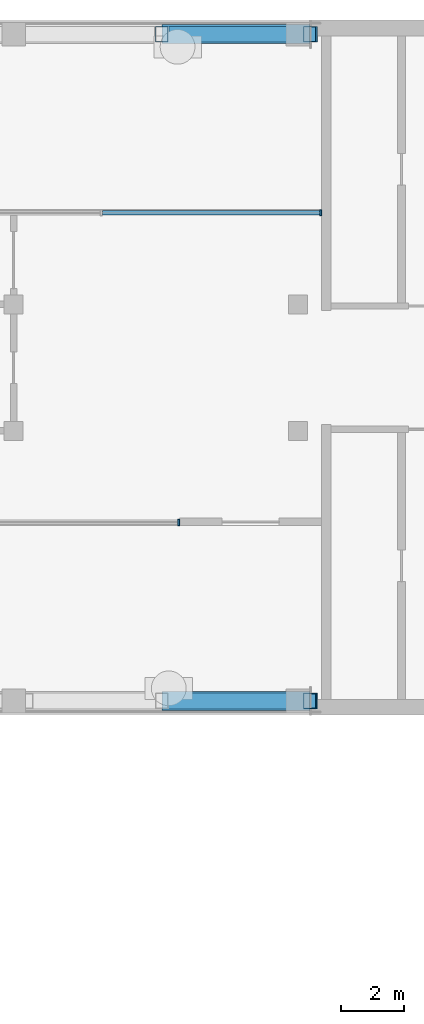
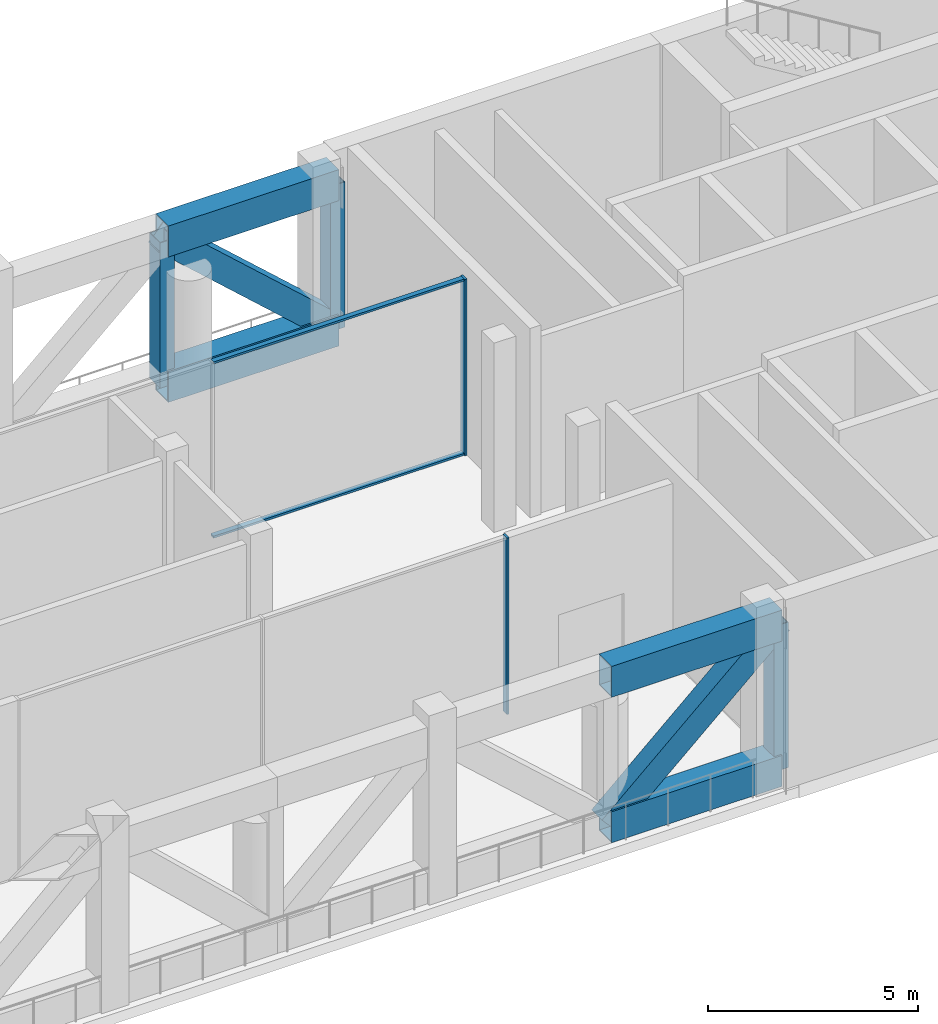
# One storey, part 5 of 14: 13 members, 2 elements without a shape of their own.
"""IFC4 building model written with IfcOpenShell, lengths in metres."""

from ifc_helpers import new_model, si_unit, direction, frame, origin, origin_2d, place, context, subcontext, project, spatial, rectangle, hollow_rectangle, extrude, material, material_profile, profile_set, type_object, element, aggregate, save


model = new_model("IFC4")

# Units and contexts
model_context = context("Model", 3, precision=1e-05, world=origin(), true_north=direction((0.0, 1.0)))
body_context = subcontext(model_context, "Body", "Model", "MODEL_VIEW")
ifc_project = project(units=[si_unit("LENGTHUNIT", "METRE"), si_unit("AREAUNIT", "SQUARE_METRE"), si_unit("VOLUMEUNIT", "CUBIC_METRE"), si_unit("PLANEANGLEUNIT", "RADIAN"), si_unit("MASSUNIT", "GRAM", prefix="KILO")], contexts=[model_context])

# Site, building, storey
site_placement = place(None, origin())
site = spatial("IfcSite", under=ifc_project, at=site_placement, CompositionType="ELEMENT")
building_placement = place(site_placement, origin())
building = spatial("IfcBuilding", under=site, at=building_placement, Name="Skarvind Civic Tower", CompositionType="ELEMENT")
storey_placement = place(building_placement, frame((0.0, 0.0, 236.0)))
storey = spatial("IfcBuildingStorey", under=building, at=storey_placement, Name="L56", CompositionType="ELEMENT", Elevation=236.0)

# Curtain wall, member
ifc_material_1 = material(Name="Aluminium alloy 6063 and laminated glass", Category="aluminium")
curtain_wall_type = type_object("IfcCurtainWallType", Name="CW3 SEPARATOR INNER GLAZING", PredefinedType="NOTDEFINED", material=ifc_material_1)
curtain_wall_1_placement = place(storey_placement, origin())
curtain_wall_1 = element("IfcCurtainWall", 1, at=curtain_wall_1_placement, inside=storey, type_object=curtain_wall_type, Name="SEPARATOR INNER GLAZING", PredefinedType="NOTDEFINED")
ifc_material_2 = material(Name="Aluminium alloy 6063", Category="aluminium")
ifc_material_profile_1 = material_profile(ifc_material_2, rectangle(XDim=0.199951171875, YDim=0.06005859375, at=origin_2d()), Name="AL 60x200")
ifc_profile_set_1 = profile_set([ifc_material_profile_1], Name="Aluminium alloy 6063")
member_type_1 = type_object("IfcMemberType", Name="CW3 MULLION 60x200", PredefinedType="MULLION", material=ifc_profile_set_1)
member_1_placement = place(storey_placement, frame((86.469970703125, 123.10009765625, 0.0), z_axis=(0.0, 0.0, 1.0), x_axis=(0.0, -1.0, 0.0)))
member_1 = element("IfcMember", 2, at=member_1_placement, type_object=member_type_1, Name="CW3 mullion 1", PredefinedType="MULLION", context=body_context, shape_type="SweptSolid", body=[
    extrude(rectangle(XDim=0.199951171875, YDim=0.06005859375, at=origin_2d()), origin(), (0.0, 0.0, 1.0), 5.125),
])
aggregate(curtain_wall_1, [member_1])

# Curtain wall, members
curtain_wall_2_placement = place(storey_placement, origin())
curtain_wall_2 = element("IfcCurtainWall", 3, at=curtain_wall_2_placement, inside=storey, type_object=curtain_wall_type, Name="SEPARATOR INNER GLAZING", PredefinedType="NOTDEFINED")
member_2_placement = place(storey_placement, frame((90.969970703125, 132.89990234375, 0.0), z_axis=(0.0, 0.0, 1.0), x_axis=(0.0, 1.0, 0.0)))
member_2 = element("IfcMember", 4, at=member_2_placement, type_object=member_type_1, Name="CW3 mullion 3", PredefinedType="MULLION", context=body_context, shape_type="SweptSolid", body=[
    extrude(rectangle(XDim=0.199951171875, YDim=0.06005859375, at=origin_2d()), origin(), (0.0, 0.0, 1.0), 5.125),
])
ifc_material_profile_2 = material_profile(ifc_material_2, rectangle(XDim=0.139892578125, YDim=0.06005859375, at=origin_2d()), Name="AL 60x140")
ifc_profile_set_2 = profile_set([ifc_material_profile_2], Name="Aluminium alloy 6063")
member_type_2 = type_object("IfcMemberType", Name="CW3 TRANSOM 60x140", PredefinedType="USERDEFINED", material=ifc_profile_set_2)
member_3_placement = place(storey_placement, frame((84.054931640625, 132.89990234375, 0.030029296875), z_axis=(1.0, 0.0, 0.0), x_axis=(0.0, 1.0, 0.0)))
member_3 = element("IfcMember", 5, at=member_3_placement, type_object=member_type_2, Name="CW3 transom 2.1", ObjectType="TRANSOM", PredefinedType="USERDEFINED", context=body_context, shape_type="SweptSolid", body=[
    extrude(rectangle(XDim=0.139892578125, YDim=0.06005859375, at=origin_2d()), origin(), (0.0, 0.0, 1.0), 6.885009765625),
])
member_4_placement = place(storey_placement, frame((84.054931640625, 132.89990234375, 5.094970703125), z_axis=(1.0, 0.0, 0.0), x_axis=(0.0, 1.0, 0.0)))
member_4 = element("IfcMember", 6, at=member_4_placement, type_object=member_type_2, Name="CW3 transom 2.2", ObjectType="TRANSOM", PredefinedType="USERDEFINED", context=body_context, shape_type="SweptSolid", body=[
    extrude(rectangle(XDim=0.139892578125, YDim=0.06005859375, at=origin_2d()), origin(), (0.0, 0.0, 1.0), 6.885009765625),
])
aggregate(curtain_wall_2, [member_2, member_3, member_4])

# Members
ifc_material_3 = material(Name="Steel SM355", Category="steel")
ifc_material_profile_3 = material_profile(ifc_material_3, hollow_rectangle(XDim=0.60009765625, YDim=0.89990234375, WallThickness=0.031982421875, at=origin_2d()), Name="BOX-900x600x32")
ifc_profile_set_3 = profile_set([ifc_material_profile_3], Name="Steel SM355")
member_type_3 = type_object("IfcMemberType", Name="Truss chord BOX-900x600x32 SM355", PredefinedType="CHORD", material=ifc_profile_set_3)
for number, where, z_axis, x_axis, name in (
    (7, (85.9375, 138.550048828125, 0.449951171875), (1.0, 0.0, 0.0), (0.0, 1.0, 0.0), "Outrigger truss L56 W1N chord"),
    (8, (85.9375, 138.550048828125, 4.675048828125), (1.0, 0.0, 0.0), (0.0, 1.0, 0.0), "Outrigger truss L56 W1N chord"),
    (9, (85.9375, 117.449951171875, 0.449951171875), (1.0, 0.0, 0.0), (0.0, 1.0, 0.0), "Outrigger truss L56 W1S chord"),
    (10, (85.9375, 117.449951171875, 4.675048828125), (1.0, 0.0, 0.0), (0.0, 1.0, 0.0), "Outrigger truss L56 W1S chord"),
):
    element("IfcMember", number, at=place(storey_placement, frame(where, z_axis=z_axis, x_axis=x_axis)), inside=storey, type_object=member_type_3, Name=name, PredefinedType="CHORD", context=body_context, shape_type="SweptSolid", body=[
        extrude(hollow_rectangle(XDim=0.60009765625, YDim=0.89990234375, WallThickness=0.031982421875, at=origin_2d()), origin(), (0.0, 0.0, 1.0), 4.6875),
    ])
ifc_material_profile_4 = material_profile(ifc_material_3, hollow_rectangle(XDim=0.5, YDim=0.699951171875, WallThickness=0.02197265625, at=origin_2d()), Name="BOX-700x500x22")
ifc_profile_set_4 = profile_set([ifc_material_profile_4], Name="Steel SM355")
member_type_4 = type_object("IfcMemberType", Name="Truss diagonal BOX-700x500x22 SM355", PredefinedType="BRACE", material=ifc_profile_set_4)
for number, where, z_axis, x_axis, name in (
    (11, (85.9375, 138.550048828125, 4.675048828125), (0.742793783847, 0.0, -0.669520272044), (0.0, 1.0, 0.0), "Outrigger truss L56 W1N diagonal"),
    (12, (85.9375, 117.449951171875, 0.449951171875), (0.742793783847, 0.0, 0.669520272044), (0.0, 1.0, 0.0), "Outrigger truss L56 W1S diagonal"),
):
    element("IfcMember", number, at=place(storey_placement, frame(where, z_axis=z_axis, x_axis=x_axis)), inside=storey, type_object=member_type_4, Name=name, PredefinedType="BRACE", context=body_context, shape_type="SweptSolid", body=[
        extrude(hollow_rectangle(XDim=0.5, YDim=0.699951171875, WallThickness=0.02197265625, at=origin_2d()), origin(), (0.0, 0.0, 1.0), 6.310546875),
    ])
ifc_material_profile_5 = material_profile(ifc_material_3, hollow_rectangle(XDim=0.39990234375, YDim=0.5, WallThickness=0.02001953125, at=origin_2d()), Name="BOX-500x400x20")
ifc_profile_set_5 = profile_set([ifc_material_profile_5], Name="Steel SM355")
member_type_5 = type_object("IfcMemberType", Name="Truss post BOX-500x400x20 SM355", PredefinedType="POST", material=ifc_profile_set_5)
for number, where, z_axis, x_axis, name in (
    (13, (85.9375, 138.550048828125, 0.449951171875), (0.0, 0.0, 1.0), (1.0, 0.0, 0.0), "Outrigger truss L56 W1N post"),
    (14, (90.625, 138.550048828125, 0.449951171875), (0.0, 0.0, 1.0), (1.0, 0.0, 0.0), "Outrigger truss L56 W1N post"),
    (15, (90.625, 117.449951171875, 0.449951171875), (0.0, 0.0, 1.0), (1.0, 0.0, 0.0), "Outrigger truss L56 W1S post"),
):
    element("IfcMember", number, at=place(storey_placement, frame(where, z_axis=z_axis, x_axis=x_axis)), inside=storey, type_object=member_type_5, Name=name, PredefinedType="POST", context=body_context, shape_type="SweptSolid", body=[
        extrude(hollow_rectangle(XDim=0.39990234375, YDim=0.5, WallThickness=0.02001953125, at=origin_2d()), origin(), (0.0, 0.0, 1.0), 4.22509765625),
    ])

save(model, "model.ifc")
